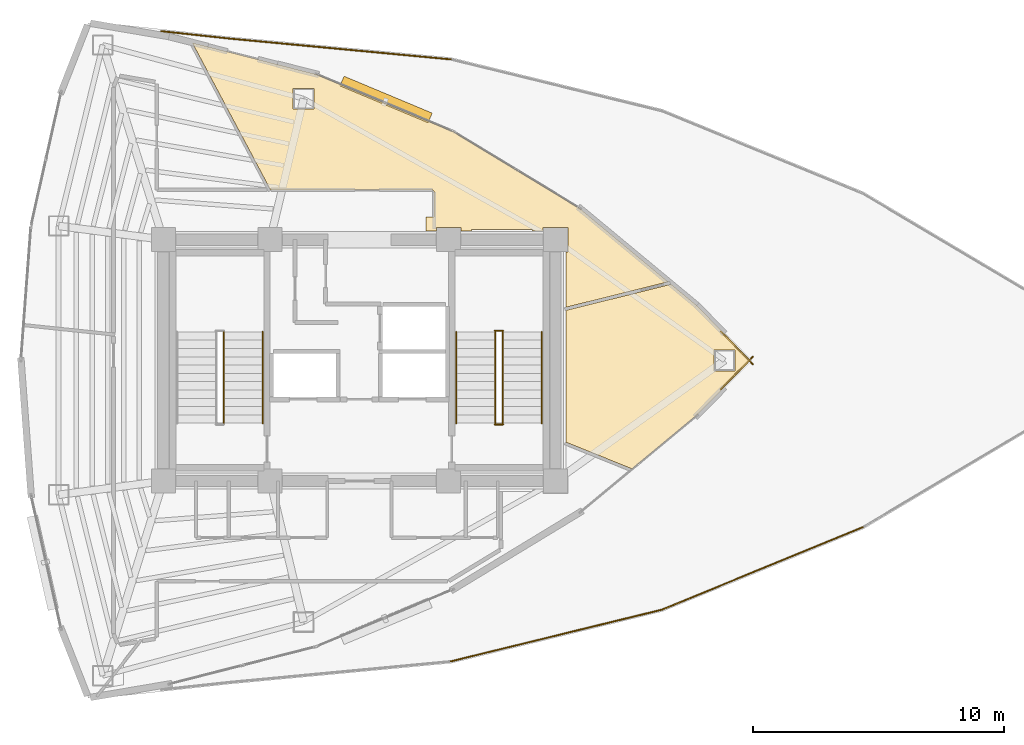
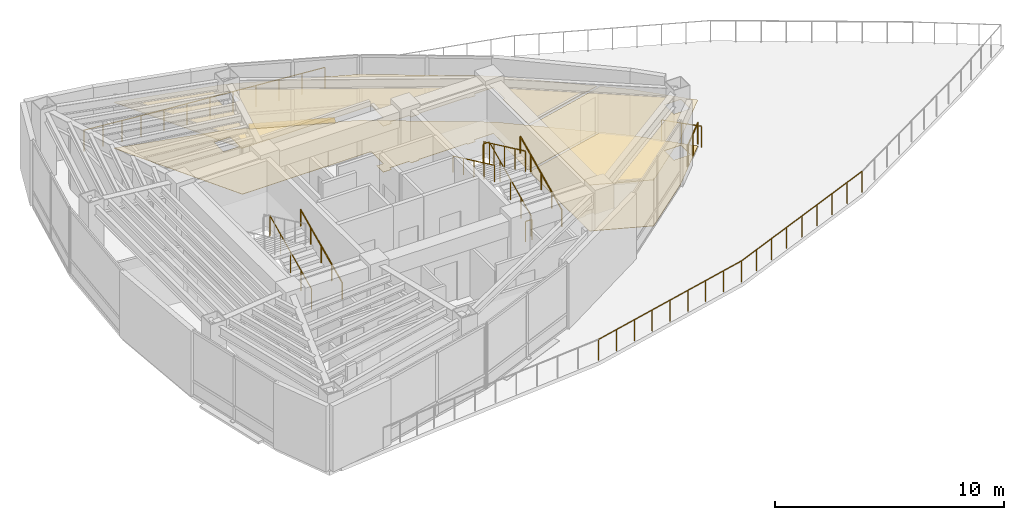
# One storey, part 15 of 16: 14 railings, 4 coverings, 1 shading device.
"""IFC4 building model written with IfcOpenShell, lengths in metres."""

from ifc_helpers import new_model, si_unit, direction, frame, origin, origin_2d, place, context, subcontext, project, spatial, polyline, rectangle, circle, outline, extrude, material, layer, layer_set, type_object, element, save


model = new_model("IFC4")

# Units and contexts
model_context = context("Model", 3, precision=1e-05, world=origin(), true_north=direction((0.0, 1.0)))
body_context = subcontext(model_context, "Body", "Model", "MODEL_VIEW")
ifc_project = project(units=[si_unit("LENGTHUNIT", "METRE"), si_unit("AREAUNIT", "SQUARE_METRE"), si_unit("VOLUMEUNIT", "CUBIC_METRE"), si_unit("PLANEANGLEUNIT", "RADIAN"), si_unit("MASSUNIT", "GRAM", prefix="KILO")], contexts=[model_context])

# Site, building, storey
site_placement = place(None, origin())
site = spatial("IfcSite", under=ifc_project, at=site_placement, CompositionType="ELEMENT")
building_placement = place(site_placement, origin())
building = spatial("IfcBuilding", under=site, at=building_placement, Name="Menara Vayukalpa", CompositionType="ELEMENT")
storey_placement = place(building_placement, frame((0.0, 0.0, 247.139892578125)))
storey = spatial("IfcBuildingStorey", under=building, at=storey_placement, Name="L62", CompositionType="ELEMENT", Elevation=247.139892578125)

# Coverings
ifc_material_1 = material(Name="Mineral Fibre Acoustic Ceiling Tile", Category="masonry")
ifc_layer_1 = layer(ifc_material_1, 0.02490234375)
ifc_layer_set_1 = layer_set([ifc_layer_1], Name="Mineral Fibre Acoustic Ceiling Tile")
covering_type_1 = type_object("IfcCoveringType", Name="COV-CLG1", PredefinedType="CEILING", material=ifc_layer_set_1)
covering_1_placement = place(storey_placement, frame((0.0, 0.0, 2.4501953125)))
element("IfcCovering", 1, at=covering_1_placement, inside=storey, type_object=covering_type_1, Name="L62 Visitor Reception Lounge Acoustic Ceiling", PredefinedType="CEILING", context=body_context, shape_type="SweptSolid", body=[
    extrude(outline(polyline([(41.15087890625, 22.007080078125), (41.151611328125, 22.00634765625), (41.15234375, 22.005615234375), (41.152587890625, 22.004638671875), (41.1533203125, 22.00390625), (41.153564453125, 22.0029296875), (41.15380859375, 22.001953125), (41.15380859375, 22.0009765625), (41.15380859375, 22.0), (41.15380859375, 21.9990234375), (41.15380859375, 21.998046875), (41.153564453125, 21.9970703125), (41.1533203125, 21.99609375), (41.152587890625, 21.995361328125), (41.15234375, 21.994384765625), (41.151611328125, 21.99365234375), (41.15087890625, 21.992919921875), (39.021240234375, 19.82373046875), (39.0205078125, 19.822998046875), (36.446044921875, 17.68798828125), (36.4453125, 17.6875), (36.4443359375, 17.68701171875), (36.443603515625, 17.6865234375), (36.4423828125, 17.686279296875), (36.44140625, 17.68603515625), (36.4404296875, 17.685791015625), (36.439453125, 17.685791015625), (36.4384765625, 17.685791015625), (36.4375, 17.68603515625), (36.4365234375, 17.686279296875), (36.435546875, 17.686767578125), (36.4326171875, 17.68798828125), (33.81640625, 18.7451171875), (33.8154296875, 18.74560546875), (33.814453125, 18.74609375), (33.813720703125, 18.74658203125), (33.81298828125, 18.747314453125), (33.812255859375, 18.748046875), (33.811767578125, 18.748779296875), (33.811279296875, 18.749755859375), (33.810791015625, 18.75048828125), (33.810302734375, 18.75146484375), (33.810302734375, 18.75244140625), (33.81005859375, 18.75341796875), (33.81005859375, 18.75439453125), (33.81005859375, 23.977294921875), (33.81005859375, 23.978271484375), (33.810302734375, 23.979248046875), (33.810302734375, 23.97998046875), (33.810791015625, 23.98095703125), (33.81103515625, 23.98193359375), (33.8115234375, 23.982666015625), (33.81201171875, 23.9833984375), (33.812744140625, 23.984130859375), (33.8134765625, 23.98486328125), (33.814208984375, 23.9853515625), (33.81494140625, 23.98583984375), (33.81591796875, 23.986328125), (33.816650390625, 23.98681640625), (33.817626953125, 23.987060546875), (37.974853515625, 25.0234375), (37.980712890625, 25.025390625), (37.986328125, 25.027587890625), (37.9873046875, 25.028076171875), (37.98828125, 25.0283203125), (37.9892578125, 25.0283203125), (37.990234375, 25.0283203125), (37.9912109375, 25.0283203125), (37.9921875, 25.0283203125), (37.9931640625, 25.028076171875), (37.994140625, 25.027587890625), (37.994873046875, 25.027099609375), (37.995849609375, 25.026611328125), (37.99658203125, 25.026123046875), (39.0205078125, 24.177001953125), (39.021240234375, 24.17626953125), (41.15087890625, 22.007080078125)]), holes=[polyline([(40.536865234375, 22.4150390625), (39.706787109375, 22.4150390625), (39.706787109375, 21.5849609375), (40.536865234375, 21.5849609375), (40.536865234375, 22.4150390625)])]), origin(), (0.0, 0.0, 1.0), 0.02490234375),
])
covering_2_placement = place(storey_placement, frame((0.0, 0.0, 2.4501953125)))
element("IfcCovering", 2, at=covering_2_placement, inside=storey, type_object=covering_type_1, Name="L62 Visitor Reception Lounge Acoustic Ceiling", PredefinedType="CEILING", context=body_context, shape_type="SweptSolid", body=[
    extrude(outline(polyline([(29.639892578125, 27.14990234375), (29.639892578125, 27.2900390625), (28.659912109375, 27.2900390625), (28.659912109375, 27.14990234375), (28.239990234375, 27.14990234375), (28.239990234375, 27.7099609375), (28.570068359375, 27.7099609375), (28.570068359375, 28.69970703125), (28.569580078125, 28.706787109375), (28.568603515625, 28.713623046875), (28.56689453125, 28.72021484375), (28.564697265625, 28.726806640625), (28.561767578125, 28.73291015625), (28.55810546875, 28.73876953125), (28.553955078125, 28.744384765625), (28.549560546875, 28.74951171875), (28.54443359375, 28.75390625), (28.538818359375, 28.75830078125), (28.532958984375, 28.76171875), (28.52685546875, 28.7646484375), (28.520263671875, 28.76708984375), (28.513671875, 28.768798828125), (28.5068359375, 28.76953125), (28.499755859375, 28.77001953125), (22.07421875, 28.77001953125), (22.0732421875, 28.77001953125), (22.072265625, 28.770263671875), (22.0712890625, 28.7705078125), (22.070556640625, 28.770751953125), (22.069580078125, 28.771240234375), (22.068603515625, 28.771728515625), (22.06787109375, 28.772216796875), (22.067138671875, 28.77294921875), (22.066650390625, 28.773681640625), (22.06591796875, 28.7744140625), (22.0654296875, 28.775390625), (18.962158203125, 34.61181640625), (18.961669921875, 34.61279296875), (18.961181640625, 34.61376953125), (18.961181640625, 34.614501953125), (18.9609375, 34.615478515625), (18.9609375, 34.616455078125), (18.9609375, 34.617431640625), (18.961181640625, 34.618408203125), (18.961181640625, 34.619384765625), (18.961669921875, 34.620361328125), (18.9619140625, 34.62109375), (18.96240234375, 34.6220703125), (18.962890625, 34.622802734375), (18.963623046875, 34.62353515625), (18.96435546875, 34.624267578125), (18.965087890625, 34.624755859375), (18.9658203125, 34.625244140625), (18.966796875, 34.625732421875), (18.9677734375, 34.626220703125), (18.968505859375, 34.626220703125), (18.969482421875, 34.62646484375), (18.970458984375, 34.626708984375), (18.971435546875, 34.626708984375), (18.972412109375, 34.62646484375), (18.973388671875, 34.626220703125), (23.877197265625, 33.375732421875), (23.878662109375, 33.375244140625), (29.32568359375, 31.0966796875), (29.326416015625, 31.09619140625), (29.3271484375, 31.095947265625), (34.37353515625, 28.030517578125), (34.374755859375, 28.02978515625), (37.864013671875, 25.135986328125), (37.86474609375, 25.13525390625), (37.865478515625, 25.134521484375), (37.865966796875, 25.1337890625), (37.866455078125, 25.1328125), (37.866943359375, 25.132080078125), (37.8671875, 25.131103515625), (37.867431640625, 25.130126953125), (37.86767578125, 25.129150390625), (37.86767578125, 25.128173828125), (37.867431640625, 25.127197265625), (37.867431640625, 25.126220703125), (37.8671875, 25.125), (37.86669921875, 25.124267578125), (37.8662109375, 25.123291015625), (37.86572265625, 25.122314453125), (37.864990234375, 25.12158203125), (37.864501953125, 25.12109375), (37.863525390625, 25.120361328125), (37.86279296875, 25.11962890625), (37.86181640625, 25.119384765625), (37.861083984375, 25.118896484375), (37.860107421875, 25.11865234375), (33.822509765625, 24.11181640625), (33.8212890625, 24.11181640625), (33.8203125, 24.111572265625), (33.8193359375, 24.111572265625), (33.818359375, 24.11181640625), (33.8173828125, 24.11181640625), (33.81640625, 24.1123046875), (33.8154296875, 24.112548828125), (33.814697265625, 24.113037109375), (33.813720703125, 24.11376953125), (33.81298828125, 24.114501953125), (33.8125, 24.114990234375), (33.811767578125, 24.115966796875), (33.811279296875, 24.11669921875), (33.810791015625, 24.11767578125), (33.810546875, 24.11865234375), (33.810302734375, 24.11962890625), (33.81005859375, 24.12060546875), (33.81005859375, 24.12158203125), (33.81005859375, 26.31005859375), (33.889892578125, 26.31005859375), (33.889892578125, 27.2900390625), (32.909912109375, 27.2900390625), (32.909912109375, 27.14990234375), (32.489990234375, 27.14990234375), (32.489990234375, 27.2099609375), (30.06005859375, 27.2099609375), (30.06005859375, 27.14990234375), (29.639892578125, 27.14990234375)]), holes=[polyline([(23.796875, 32.81982421875), (22.966796875, 32.81982421875), (22.966796875, 31.98974609375), (23.796875, 31.98974609375), (23.796875, 32.81982421875)])]), origin(), (0.0, 0.0, 1.0), 0.02490234375),
])
ifc_material_2 = material(Name="Porcelain Stoneware Floor Tile", Category="masonry")
ifc_layer_2 = layer(ifc_material_2, 0.02001953125)
ifc_layer_set_2 = layer_set([ifc_layer_2], Name="Porcelain Stoneware Floor Tile")
covering_type_2 = type_object("IfcCoveringType", Name="COV-FLR1", PredefinedType="FLOORING", material=ifc_layer_set_2)
covering_3_placement = place(storey_placement, origin())
element("IfcCovering", 3, at=covering_3_placement, inside=storey, type_object=covering_type_2, Name="L62 Visitor Reception Lounge Porcelain Flooring", PredefinedType="FLOORING", context=body_context, shape_type="SweptSolid", body=[
    extrude(outline(polyline([(41.15087890625, 22.007080078125), (41.151611328125, 22.00634765625), (41.15234375, 22.005615234375), (41.152587890625, 22.004638671875), (41.1533203125, 22.00390625), (41.153564453125, 22.0029296875), (41.15380859375, 22.001953125), (41.15380859375, 22.0009765625), (41.15380859375, 22.0), (41.15380859375, 21.9990234375), (41.15380859375, 21.998046875), (41.153564453125, 21.9970703125), (41.1533203125, 21.99609375), (41.152587890625, 21.995361328125), (41.15234375, 21.994384765625), (41.151611328125, 21.99365234375), (41.15087890625, 21.992919921875), (39.021240234375, 19.82373046875), (39.0205078125, 19.822998046875), (36.446044921875, 17.68798828125), (36.4453125, 17.6875), (36.4443359375, 17.68701171875), (36.443603515625, 17.6865234375), (36.4423828125, 17.686279296875), (36.44140625, 17.68603515625), (36.4404296875, 17.685791015625), (36.439453125, 17.685791015625), (36.4384765625, 17.685791015625), (36.4375, 17.68603515625), (36.4365234375, 17.686279296875), (36.435546875, 17.686767578125), (36.4326171875, 17.68798828125), (33.81640625, 18.7451171875), (33.8154296875, 18.74560546875), (33.814453125, 18.74609375), (33.813720703125, 18.74658203125), (33.81298828125, 18.747314453125), (33.812255859375, 18.748046875), (33.811767578125, 18.748779296875), (33.811279296875, 18.749755859375), (33.810791015625, 18.75048828125), (33.810302734375, 18.75146484375), (33.810302734375, 18.75244140625), (33.81005859375, 18.75341796875), (33.81005859375, 18.75439453125), (33.81005859375, 23.977294921875), (33.81005859375, 23.978271484375), (33.810302734375, 23.979248046875), (33.810302734375, 23.97998046875), (33.810791015625, 23.98095703125), (33.81103515625, 23.98193359375), (33.8115234375, 23.982666015625), (33.81201171875, 23.9833984375), (33.812744140625, 23.984130859375), (33.8134765625, 23.98486328125), (33.814208984375, 23.9853515625), (33.81494140625, 23.98583984375), (33.81591796875, 23.986328125), (33.816650390625, 23.98681640625), (33.817626953125, 23.987060546875), (37.974853515625, 25.0234375), (37.980712890625, 25.025390625), (37.986328125, 25.027587890625), (37.9873046875, 25.028076171875), (37.98828125, 25.0283203125), (37.9892578125, 25.0283203125), (37.990234375, 25.0283203125), (37.9912109375, 25.0283203125), (37.9921875, 25.0283203125), (37.9931640625, 25.028076171875), (37.994140625, 25.027587890625), (37.994873046875, 25.027099609375), (37.995849609375, 25.026611328125), (37.99658203125, 25.026123046875), (39.0205078125, 24.177001953125), (39.021240234375, 24.17626953125), (41.15087890625, 22.007080078125)]), holes=[polyline([(40.536865234375, 22.4150390625), (39.706787109375, 22.4150390625), (39.706787109375, 21.5849609375), (40.536865234375, 21.5849609375), (40.536865234375, 22.4150390625)])]), origin(), (0.0, 0.0, 1.0), 0.02001953125),
])
covering_4_placement = place(storey_placement, origin())
element("IfcCovering", 4, at=covering_4_placement, inside=storey, type_object=covering_type_2, Name="L62 Visitor Reception Lounge Porcelain Flooring", PredefinedType="FLOORING", context=body_context, shape_type="SweptSolid", body=[
    extrude(outline(polyline([(29.639892578125, 27.14990234375), (29.639892578125, 27.2900390625), (28.659912109375, 27.2900390625), (28.659912109375, 27.14990234375), (28.239990234375, 27.14990234375), (28.239990234375, 27.7099609375), (28.570068359375, 27.7099609375), (28.570068359375, 28.69970703125), (28.569580078125, 28.706787109375), (28.568603515625, 28.713623046875), (28.56689453125, 28.72021484375), (28.564697265625, 28.726806640625), (28.561767578125, 28.73291015625), (28.55810546875, 28.73876953125), (28.553955078125, 28.744384765625), (28.549560546875, 28.74951171875), (28.54443359375, 28.75390625), (28.538818359375, 28.75830078125), (28.532958984375, 28.76171875), (28.52685546875, 28.7646484375), (28.520263671875, 28.76708984375), (28.513671875, 28.768798828125), (28.5068359375, 28.76953125), (28.499755859375, 28.77001953125), (22.07421875, 28.77001953125), (22.0732421875, 28.77001953125), (22.072265625, 28.770263671875), (22.0712890625, 28.7705078125), (22.070556640625, 28.770751953125), (22.069580078125, 28.771240234375), (22.068603515625, 28.771728515625), (22.06787109375, 28.772216796875), (22.067138671875, 28.77294921875), (22.066650390625, 28.773681640625), (22.06591796875, 28.7744140625), (22.0654296875, 28.775390625), (18.962158203125, 34.61181640625), (18.961669921875, 34.61279296875), (18.961181640625, 34.61376953125), (18.961181640625, 34.614501953125), (18.9609375, 34.615478515625), (18.9609375, 34.616455078125), (18.9609375, 34.617431640625), (18.961181640625, 34.618408203125), (18.961181640625, 34.619384765625), (18.961669921875, 34.620361328125), (18.9619140625, 34.62109375), (18.96240234375, 34.6220703125), (18.962890625, 34.622802734375), (18.963623046875, 34.62353515625), (18.96435546875, 34.624267578125), (18.965087890625, 34.624755859375), (18.9658203125, 34.625244140625), (18.966796875, 34.625732421875), (18.9677734375, 34.626220703125), (18.968505859375, 34.626220703125), (18.969482421875, 34.62646484375), (18.970458984375, 34.626708984375), (18.971435546875, 34.626708984375), (18.972412109375, 34.62646484375), (18.973388671875, 34.626220703125), (23.877197265625, 33.375732421875), (23.878662109375, 33.375244140625), (29.32568359375, 31.0966796875), (29.326416015625, 31.09619140625), (29.3271484375, 31.095947265625), (34.37353515625, 28.030517578125), (34.374755859375, 28.02978515625), (37.864013671875, 25.135986328125), (37.86474609375, 25.13525390625), (37.865478515625, 25.134521484375), (37.865966796875, 25.1337890625), (37.866455078125, 25.1328125), (37.866943359375, 25.132080078125), (37.8671875, 25.131103515625), (37.867431640625, 25.130126953125), (37.86767578125, 25.129150390625), (37.86767578125, 25.128173828125), (37.867431640625, 25.127197265625), (37.867431640625, 25.126220703125), (37.8671875, 25.125), (37.86669921875, 25.124267578125), (37.8662109375, 25.123291015625), (37.86572265625, 25.122314453125), (37.864990234375, 25.12158203125), (37.864501953125, 25.12109375), (37.863525390625, 25.120361328125), (37.86279296875, 25.11962890625), (37.86181640625, 25.119384765625), (37.861083984375, 25.118896484375), (37.860107421875, 25.11865234375), (33.822509765625, 24.11181640625), (33.8212890625, 24.11181640625), (33.8203125, 24.111572265625), (33.8193359375, 24.111572265625), (33.818359375, 24.11181640625), (33.8173828125, 24.11181640625), (33.81640625, 24.1123046875), (33.8154296875, 24.112548828125), (33.814697265625, 24.113037109375), (33.813720703125, 24.11376953125), (33.81298828125, 24.114501953125), (33.8125, 24.114990234375), (33.811767578125, 24.115966796875), (33.811279296875, 24.11669921875), (33.810791015625, 24.11767578125), (33.810546875, 24.11865234375), (33.810302734375, 24.11962890625), (33.81005859375, 24.12060546875), (33.81005859375, 24.12158203125), (33.81005859375, 26.31005859375), (33.889892578125, 26.31005859375), (33.889892578125, 27.2900390625), (32.909912109375, 27.2900390625), (32.909912109375, 27.14990234375), (32.489990234375, 27.14990234375), (32.489990234375, 27.2099609375), (30.06005859375, 27.2099609375), (30.06005859375, 27.14990234375), (29.639892578125, 27.14990234375)]), holes=[polyline([(23.796875, 32.81982421875), (22.966796875, 32.81982421875), (22.966796875, 31.98974609375), (23.796875, 31.98974609375), (23.796875, 32.81982421875)])]), origin(), (0.0, 0.0, 1.0), 0.02001953125),
])

# Railings
ifc_material_3 = material(Name="Laminated Glass and Stainless Steel 316 Guardrail", Category="steel")
railing_type_1 = type_object("IfcRailingType", Name="RLG-EXT115", PredefinedType="GUARDRAIL", material=ifc_material_3)
railing_1_placement = place(storey_placement, frame((17.7119140625, 35.093505859375, 0.0)))
element("IfcRailing", 5, at=railing_1_placement, inside=storey, type_object=railing_type_1, Name="L62 Sky Terrace Perimeter Guardrail 01", PredefinedType="GUARDRAIL", context=body_context, shape_type="SweptSolid", body=[
    extrude(circle(Radius=0.02392578125, at=origin_2d()), frame((0.0, 0.0, 1.1259765625), z_axis=(0.994151328146, -0.10799600338, 0.0), x_axis=(0.10799600338, 0.994151328146, 0.0)), (0.0, 0.0, 1.0), 2.739990234375),
    extrude(circle(Radius=0.02099609375, at=origin_2d()), origin(), (0.0, 0.0, 1.0), 1.101806640625),
    extrude(circle(Radius=0.02099609375, at=origin_2d()), frame((0.907958984375, -0.0986328125, 0.0)), (0.0, 0.0, 1.0), 1.101806640625),
    extrude(circle(Radius=0.02099609375, at=origin_2d()), frame((1.81591796875, -0.197265625, 0.0)), (0.0, 0.0, 1.0), 1.101806640625),
    extrude(circle(Radius=0.02099609375, at=origin_2d()), frame((2.723876953125, -0.2958984375, 0.0)), (0.0, 0.0, 1.0), 1.101806640625),
])
railing_2_placement = place(storey_placement, frame((20.43701171875, 34.797607421875, 0.0)))
element("IfcRailing", 6, at=railing_2_placement, inside=storey, type_object=railing_type_1, Name="L62 Sky Terrace Perimeter Guardrail 02", PredefinedType="GUARDRAIL", context=body_context, shape_type="SweptSolid", body=[
    extrude(circle(Radius=0.02392578125, at=origin_2d()), frame((0.0, 0.0, 1.1259765625), z_axis=(0.995614470945, -0.093551190509, 0.0), x_axis=(0.093551190509, 0.995614470945, 0.0)), (0.0, 0.0, 1.0), 8.839111328125),
    extrude(circle(Radius=0.02099609375, at=origin_2d()), origin(), (0.0, 0.0, 1.0), 1.101806640625),
    extrude(circle(Radius=0.02099609375, at=origin_2d()), frame((1.10009765625, -0.103271484375, 0.0)), (0.0, 0.0, 1.0), 1.101806640625),
    extrude(circle(Radius=0.02099609375, at=origin_2d()), frame((2.2001953125, -0.206787109375, 0.0)), (0.0, 0.0, 1.0), 1.101806640625),
    extrude(circle(Radius=0.02099609375, at=origin_2d()), frame((3.300048828125, -0.31005859375, 0.0)), (0.0, 0.0, 1.0), 1.101806640625),
    extrude(circle(Radius=0.02099609375, at=origin_2d()), frame((4.400146484375, -0.41357421875, 0.0)), (0.0, 0.0, 1.0), 1.101806640625),
    extrude(circle(Radius=0.02099609375, at=origin_2d()), frame((5.500244140625, -0.516845703125, 0.0)), (0.0, 0.0, 1.0), 1.101806640625),
    extrude(circle(Radius=0.02099609375, at=origin_2d()), frame((6.60009765625, -0.6201171875, 0.0)), (0.0, 0.0, 1.0), 1.101806640625),
    extrude(circle(Radius=0.02099609375, at=origin_2d()), frame((7.7001953125, -0.7236328125, 0.0)), (0.0, 0.0, 1.0), 1.101806640625),
    extrude(circle(Radius=0.02099609375, at=origin_2d()), frame((8.80029296875, -0.826904296875, 0.0)), (0.0, 0.0, 1.0), 1.101806640625),
])
railing_3_placement = place(storey_placement, frame((45.62451171875, 15.368408203125, 0.0)))
element("IfcRailing", 7, at=railing_3_placement, inside=storey, type_object=railing_type_1, Name="L62 Sky Terrace Perimeter Guardrail 09", PredefinedType="GUARDRAIL", context=body_context, shape_type="SweptSolid", body=[
    extrude(circle(Radius=0.02392578125, at=origin_2d()), frame((0.0, 0.0, 1.1259765625), z_axis=(-0.924972119386, -0.380034969915, 0.0), x_axis=(0.380034969915, -0.924972119386, 0.0)), (0.0, 0.0, 1.0), 8.641845703125),
    extrude(circle(Radius=0.02099609375, at=origin_2d()), origin(), (0.0, 0.0, 1.0), 1.101806640625),
    extrude(circle(Radius=0.02099609375, at=origin_2d()), frame((-0.999267578125, -0.41064453125, 0.0)), (0.0, 0.0, 1.0), 1.101806640625),
    extrude(circle(Radius=0.02099609375, at=origin_2d()), frame((-1.998291015625, -0.821044921875, 0.0)), (0.0, 0.0, 1.0), 1.101806640625),
    extrude(circle(Radius=0.02099609375, at=origin_2d()), frame((-2.99755859375, -1.2314453125, 0.0)), (0.0, 0.0, 1.0), 1.101806640625),
    extrude(circle(Radius=0.02099609375, at=origin_2d()), frame((-3.99658203125, -1.64208984375, 0.0)), (0.0, 0.0, 1.0), 1.101806640625),
    extrude(circle(Radius=0.02099609375, at=origin_2d()), frame((-4.995849609375, -2.052734375, 0.0)), (0.0, 0.0, 1.0), 1.101806640625),
    extrude(circle(Radius=0.02099609375, at=origin_2d()), frame((-5.9951171875, -2.463134765625, 0.0)), (0.0, 0.0, 1.0), 1.101806640625),
    extrude(circle(Radius=0.02099609375, at=origin_2d()), frame((-6.994140625, -2.87353515625, 0.0)), (0.0, 0.0, 1.0), 1.101806640625),
    extrude(circle(Radius=0.02099609375, at=origin_2d()), frame((-7.993408203125, -3.2841796875, 0.0)), (0.0, 0.0, 1.0), 1.101806640625),
])
railing_4_placement = place(storey_placement, frame((37.631103515625, 12.084228515625, 0.0)))
element("IfcRailing", 8, at=railing_4_placement, inside=storey, type_object=railing_type_1, Name="L62 Sky Terrace Perimeter Guardrail 10", PredefinedType="GUARDRAIL", context=body_context, shape_type="SweptSolid", body=[
    extrude(circle(Radius=0.02392578125, at=origin_2d()), frame((0.0, 0.0, 1.1259765625), z_axis=(-0.971315824819, -0.237793121128, 0.0), x_axis=(0.237793121128, -0.971315824819, 0.0)), (0.0, 0.0, 1.0), 8.6416015625),
    extrude(circle(Radius=0.02099609375, at=origin_2d()), origin(), (0.0, 0.0, 1.0), 1.101806640625),
    extrude(circle(Radius=0.02099609375, at=origin_2d()), frame((-1.04931640625, -0.2568359375, 0.0)), (0.0, 0.0, 1.0), 1.101806640625),
    extrude(circle(Radius=0.02099609375, at=origin_2d()), frame((-2.098388671875, -0.513671875, 0.0)), (0.0, 0.0, 1.0), 1.101806640625),
    extrude(circle(Radius=0.02099609375, at=origin_2d()), frame((-3.147705078125, -0.7705078125, 0.0)), (0.0, 0.0, 1.0), 1.101806640625),
    extrude(circle(Radius=0.02099609375, at=origin_2d()), frame((-4.19677734375, -1.02734375, 0.0)), (0.0, 0.0, 1.0), 1.101806640625),
    extrude(circle(Radius=0.02099609375, at=origin_2d()), frame((-5.24609375, -1.284423828125, 0.0)), (0.0, 0.0, 1.0), 1.101806640625),
    extrude(circle(Radius=0.02099609375, at=origin_2d()), frame((-6.29541015625, -1.541259765625, 0.0)), (0.0, 0.0, 1.0), 1.101806640625),
    extrude(circle(Radius=0.02099609375, at=origin_2d()), frame((-7.344482421875, -1.798095703125, 0.0)), (0.0, 0.0, 1.0), 1.101806640625),
    extrude(circle(Radius=0.02099609375, at=origin_2d()), frame((-8.393798828125, -2.054931640625, 0.0)), (0.0, 0.0, 1.0), 1.101806640625),
])
railing_5_placement = place(storey_placement, frame((39.976318359375, 20.853515625, 0.0)))
element("IfcRailing", 9, at=railing_5_placement, inside=storey, type_object=railing_type_1, Name="L62 Column Corner Spandrel Guardrail 01-1", PredefinedType="GUARDRAIL", context=body_context, shape_type="SweptSolid", body=[
    extrude(circle(Radius=0.02392578125, at=origin_2d()), frame((0.0, 0.0, 1.1259765625), z_axis=(0.700555224103, 0.713598190848, 0.0), x_axis=(-0.713598190848, 0.700555224103, 0.0)), (0.0, 0.0, 1.0), 1.815673828125),
    extrude(circle(Radius=0.02099609375, at=origin_2d()), origin(), (0.0, 0.0, 1.0), 1.101806640625),
    extrude(circle(Radius=0.02099609375, at=origin_2d()), frame((0.635986328125, 0.64794921875, 0.0)), (0.0, 0.0, 1.0), 1.101806640625),
    extrude(circle(Radius=0.02099609375, at=origin_2d()), frame((1.27197265625, 1.295654296875, 0.0)), (0.0, 0.0, 1.0), 1.101806640625),
])
railing_6_placement = place(storey_placement, frame((41.248291015625, 21.850830078125, 0.0)))
element("IfcRailing", 10, at=railing_6_placement, inside=storey, type_object=railing_type_1, Name="L62 Column Corner Spandrel Guardrail 02-1", PredefinedType="GUARDRAIL", context=body_context, shape_type="SweptSolid", body=[
    extrude(circle(Radius=0.02392578125, at=origin_2d()), frame((0.0, 0.0, 1.1259765625), z_axis=(-0.700555224103, 0.713598190848, 0.0), x_axis=(-0.713598190848, -0.700555224103, 0.0)), (0.0, 0.0, 1.0), 1.815673828125),
    extrude(circle(Radius=0.02099609375, at=origin_2d()), origin(), (0.0, 0.0, 1.0), 1.101806640625),
    extrude(circle(Radius=0.02099609375, at=origin_2d()), frame((-0.635986328125, 0.64794921875, 0.0)), (0.0, 0.0, 1.0), 1.101806640625),
    extrude(circle(Radius=0.02099609375, at=origin_2d()), frame((-1.27197265625, 1.295654296875, 0.0)), (0.0, 0.0, 1.0), 1.101806640625),
])
ifc_material_4 = material(Name="Powder-Coated Galvanised Steel Guardrail", Category="steel")
railing_type_2 = type_object("IfcRailingType", Name="RLG-STG110", PredefinedType="GUARDRAIL", material=ifc_material_4)
for number, where, name in (
    (11, (20.199951171875, 19.5, 0.155029296875), "L62 ST-1 stair guard 1"),
    (12, (31.300048828125, 19.5, 0.155029296875), "L62 ST-2 stair guard 1"),
):
    element("IfcRailing", number, at=place(storey_placement, frame(where)), inside=storey, type_object=railing_type_2, Name=name, PredefinedType="GUARDRAIL", context=body_context, shape_type="SweptSolid", body=[
        extrude(circle(Radius=0.02392578125, at=origin_2d()), frame((0.0, 0.0, 1.09619140625), z_axis=(0.0, 0.90511648382, 0.425163675209), x_axis=(-1.0, 0.0, 0.0)), (0.0, 0.0, 1.0), 4.010498046875),
        extrude(circle(Radius=0.02099609375, at=origin_2d()), origin(), (0.0, 0.0, 1.0), 1.072021484375),
        extrude(circle(Radius=0.02099609375, at=origin_2d()), frame((0.0, 0.907470703125, 0.42626953125)), (0.0, 0.0, 1.0), 1.072021484375),
        extrude(circle(Radius=0.02099609375, at=origin_2d()), frame((0.0, 1.81494140625, 0.8525390625)), (0.0, 0.0, 1.0), 1.072021484375),
        extrude(circle(Radius=0.02099609375, at=origin_2d()), frame((0.0, 2.722412109375, 1.27880859375)), (0.0, 0.0, 1.0), 1.072021484375),
        extrude(circle(Radius=0.02099609375, at=origin_2d()), frame((0.0, 3.6298828125, 1.705078125)), (0.0, 0.0, 1.0), 1.072021484375),
    ])
railing_7_placement = place(storey_placement, frame((31.31005859375, 23.179931640625, 1.860107421875)))
element("IfcRailing", 13, at=railing_7_placement, inside=storey, type_object=railing_type_2, Name="L62 ST-2 stair guard 2", PredefinedType="GUARDRAIL", context=body_context, shape_type="SweptSolid", body=[
    extrude(circle(Radius=0.02392578125, at=origin_2d()), frame((0.0, 0.0, 1.09619140625), z_axis=(-1.0, 0.0, 0.0), x_axis=(0.0, -1.0, 0.0)), (0.0, 0.0, 1.0), 0.320068359375),
    extrude(circle(Radius=0.02099609375, at=origin_2d()), origin(), (0.0, 0.0, 1.0), 1.072021484375),
    extrude(circle(Radius=0.02099609375, at=origin_2d()), frame((-0.320068359375, 0.0, 0.0)), (0.0, 0.0, 1.0), 1.072021484375),
])
railing_8_placement = place(storey_placement, frame((31.0, 23.1298828125, 2.01513671875)))
element("IfcRailing", 14, at=railing_8_placement, inside=storey, type_object=railing_type_2, Name="L62 ST-2 stair guard 3", PredefinedType="GUARDRAIL", context=body_context, shape_type="SweptSolid", body=[
    extrude(circle(Radius=0.02392578125, at=origin_2d()), frame((0.0, 0.0, 1.09619140625), z_axis=(0.0, -0.90511648382, 0.425163675209), x_axis=(1.0, 0.0, 0.0)), (0.0, 0.0, 1.0), 4.010498046875),
    extrude(circle(Radius=0.02099609375, at=origin_2d()), origin(), (0.0, 0.0, 1.0), 1.072021484375),
    extrude(circle(Radius=0.02099609375, at=origin_2d()), frame((0.0, -0.907470703125, 0.42626953125)), (0.0, 0.0, 1.0), 1.072021484375),
    extrude(circle(Radius=0.02099609375, at=origin_2d()), frame((0.0, -1.81494140625, 0.8525390625)), (0.0, 0.0, 1.0), 1.072021484375),
    extrude(circle(Radius=0.02099609375, at=origin_2d()), frame((0.0, -2.722412109375, 1.27880859375)), (0.0, 0.0, 1.0), 1.072021484375),
    extrude(circle(Radius=0.02099609375, at=origin_2d()), frame((0.0, -3.6298828125, 1.705078125)), (0.0, 0.0, 1.0), 1.072021484375),
])
railing_9_placement = place(storey_placement, frame((31.31005859375, 19.449951171875, 0.0)))
element("IfcRailing", 15, at=railing_9_placement, inside=storey, type_object=railing_type_2, Name="L62 ST-2 stair guard 4", PredefinedType="GUARDRAIL", context=body_context, shape_type="SweptSolid", body=[
    extrude(circle(Radius=0.02392578125, at=origin_2d()), frame((0.0, 0.0, 1.09619140625), z_axis=(-1.0, 0.0, 0.0), x_axis=(0.0, -1.0, 0.0)), (0.0, 0.0, 1.0), 0.320068359375),
    extrude(circle(Radius=0.02099609375, at=origin_2d()), origin(), (0.0, 0.0, 1.0), 1.072021484375),
    extrude(circle(Radius=0.02099609375, at=origin_2d()), frame((-0.320068359375, 0.0, 0.0)), (0.0, 0.0, 1.0), 1.072021484375),
])
ifc_material_5 = material(Name="Stainless Steel 316 Tubular Handrail", Category="steel")
railing_type_3 = type_object("IfcRailingType", Name="RLG-STH090", PredefinedType="HANDRAIL", material=ifc_material_5)
for number, where, name in (
    (16, (21.75, 19.5, 0.155029296875), "L62 ST-1 stair handrail 1"),
    (17, (32.85009765625, 19.5, 0.155029296875), "L62 ST-2 stair handrail 1"),
):
    element("IfcRailing", number, at=place(storey_placement, frame(where)), inside=storey, type_object=railing_type_3, Name=name, PredefinedType="HANDRAIL", context=body_context, shape_type="SweptSolid", body=[
        extrude(circle(Radius=0.02392578125, at=origin_2d()), frame((0.0, 0.0, 0.8759765625), z_axis=(0.0, 0.90511648382, 0.425163675209), x_axis=(-1.0, 0.0, 0.0)), (0.0, 0.0, 1.0), 4.010498046875),
        extrude(circle(Radius=0.02099609375, at=origin_2d()), origin(), (0.0, 0.0, 1.0), 0.851806640625),
        extrude(circle(Radius=0.02099609375, at=origin_2d()), frame((0.0, 0.907470703125, 0.42626953125)), (0.0, 0.0, 1.0), 0.851806640625),
        extrude(circle(Radius=0.02099609375, at=origin_2d()), frame((0.0, 1.81494140625, 0.8525390625)), (0.0, 0.0, 1.0), 0.851806640625),
        extrude(circle(Radius=0.02099609375, at=origin_2d()), frame((0.0, 2.722412109375, 1.27880859375)), (0.0, 0.0, 1.0), 0.851806640625),
        extrude(circle(Radius=0.02099609375, at=origin_2d()), frame((0.0, 3.6298828125, 1.705078125)), (0.0, 0.0, 1.0), 0.851806640625),
    ])
railing_10_placement = place(storey_placement, frame((29.449951171875, 23.1298828125, 2.01513671875)))
element("IfcRailing", 18, at=railing_10_placement, inside=storey, type_object=railing_type_3, Name="L62 ST-2 stair handrail 2", PredefinedType="HANDRAIL", context=body_context, shape_type="SweptSolid", body=[
    extrude(circle(Radius=0.02392578125, at=origin_2d()), frame((0.0, 0.0, 0.8759765625), z_axis=(0.0, -0.90511648382, 0.425163675209), x_axis=(1.0, 0.0, 0.0)), (0.0, 0.0, 1.0), 4.010498046875),
    extrude(circle(Radius=0.02099609375, at=origin_2d()), origin(), (0.0, 0.0, 1.0), 0.851806640625),
    extrude(circle(Radius=0.02099609375, at=origin_2d()), frame((0.0, -0.907470703125, 0.42626953125)), (0.0, 0.0, 1.0), 0.851806640625),
    extrude(circle(Radius=0.02099609375, at=origin_2d()), frame((0.0, -1.81494140625, 0.8525390625)), (0.0, 0.0, 1.0), 0.851806640625),
    extrude(circle(Radius=0.02099609375, at=origin_2d()), frame((0.0, -2.722412109375, 1.27880859375)), (0.0, 0.0, 1.0), 0.851806640625),
    extrude(circle(Radius=0.02099609375, at=origin_2d()), frame((0.0, -3.6298828125, 1.705078125)), (0.0, 0.0, 1.0), 0.851806640625),
])

# Shading device
ifc_material_6 = material(Name="Glazed Terracotta Ceramic Baguette Extrusion", Category="masonry")
ifc_layer_3 = layer(ifc_material_6, 0.1201171875)
ifc_layer_set_3 = layer_set([ifc_layer_3], Name="Glazed Terracotta Ceramic Baguette Extrusion")
shading_device_type = type_object("IfcShadingDeviceType", Name="SHD-SS1", PredefinedType="USERDEFINED", material=ifc_layer_set_3)
shading_device_placement = place(storey_placement, frame((26.66015625, 32.374267578125, -0.099853515625), z_axis=(0.0, 0.0, 1.0), x_axis=(-0.922538089456, 0.385906042324, 0.0)))
element("IfcShadingDevice", 19, at=shading_device_placement, inside=storey, type_object=shading_device_type, Name="L62 Horizontal Terracotta Sunshade Band 05", ObjectType="SUNSHADE", PredefinedType="USERDEFINED", context=body_context, shape_type="SweptSolid", body=[
    extrude(rectangle(XDim=3.800048828125, YDim=0.419921875, at=origin_2d()), origin(), (0.0, 0.0, 1.0), 0.1201171875),
])

save(model, "model.ifc")
